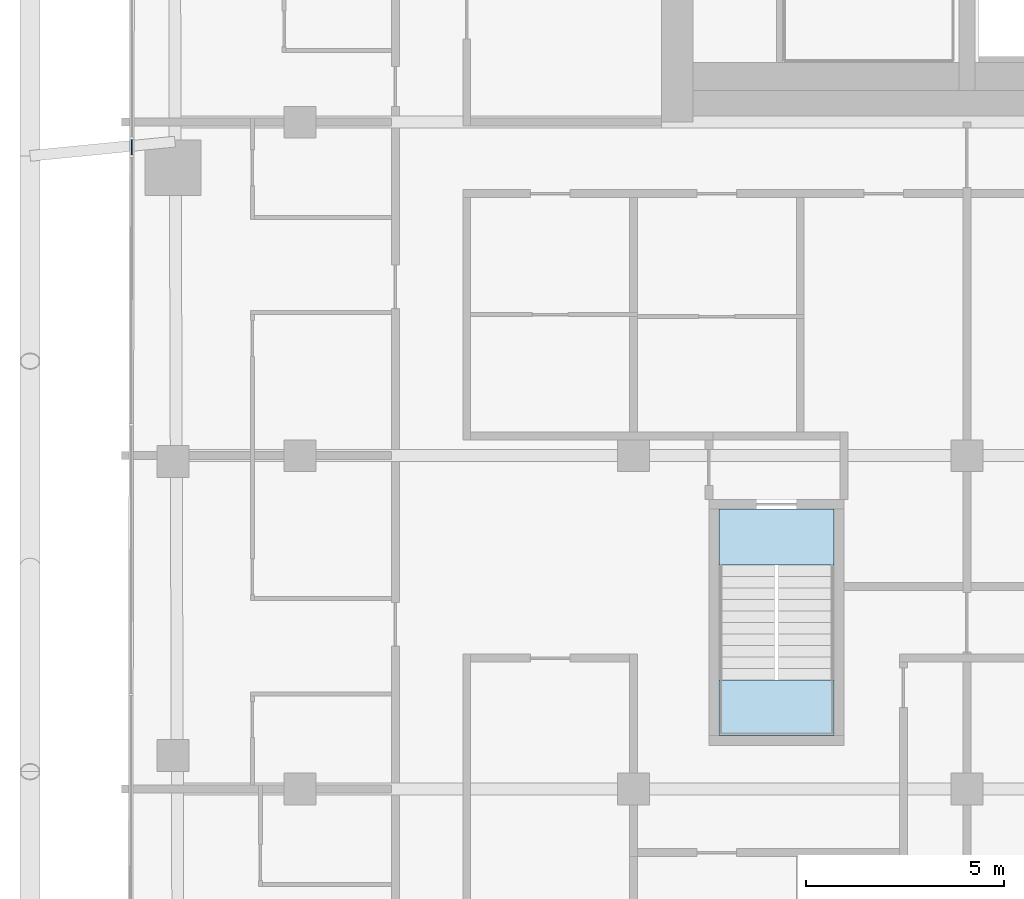
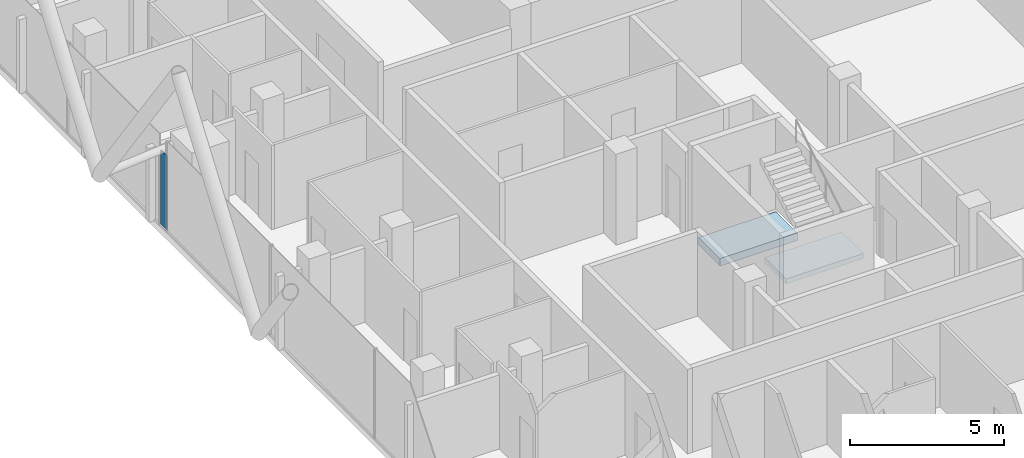
# One storey, part 16 of 31: 2 slabs, 1 plate, 2 elements without a shape of their own.
"""IFC4 building model written with IfcOpenShell, lengths in metres."""

import ifcopenshell
import ifcopenshell.guid

model = None  # the IFC model being written
_history = None  # IfcOwnerHistory: only IFC2X3 demands one
_inside = {}  # id of a spatial element -> (the spatial element, [elements in it])
_under = {}  # id of a project, library or spatial element -> (it, [spatial elements below it])
_declared = {}  # id of a project -> (the project, [libraries it declares])
_typed = {}  # id of a type object -> (the type object, [elements of that type])
_made_of = {}  # id of a material, layer set ... -> (it, [elements and type objects made of it])


def new_model(schema):
    """Start an empty IFC model of exactly this schema.

    Asked for "IFC4X3", IfcOpenShell would pick the latest addendum, in which some entities
    have other attributes; the version numbers below select the first issue.
    IFC2X3 requires an IfcOwnerHistory on every rooted entity: one is made here for all.
    """
    global model, _history
    if schema == "IFC4X3":
        model = ifcopenshell.file(schema_version=(4, 3, 0, 0))
    else:
        model = ifcopenshell.file(schema=schema)
    _inside.clear()
    _under.clear()
    _declared.clear()
    _typed.clear()
    _made_of.clear()
    _history = None
    if model.schema == "IFC2X3":
        org = make("IfcOrganization", Name="unknown")
        user = make(
            "IfcPersonAndOrganization",
            ThePerson=make("IfcPerson", FamilyName="unknown"),
            TheOrganization=org,
        )
        app = make(
            "IfcApplication",
            ApplicationDeveloper=org,
            Version="unknown",
            ApplicationFullName="unknown",
            ApplicationIdentifier="unknown",
        )
        _history = make(
            "IfcOwnerHistory",
            OwningUser=user,
            OwningApplication=app,
            ChangeAction="ADDED",
            CreationDate=0,
        )
    return model


def make(cls, **values):
    """One entity of the class cls with the attributes given. An attribute that is None is left unset."""
    return model.create_entity(
        cls, **{name: value for name, value in values.items() if value is not None}
    )


def rooted(cls, **values):
    """An entity with a GlobalId (a new one), such as an element, a storey or a relation."""
    return make(cls, GlobalId=ifcopenshell.guid.new(), OwnerHistory=_history, **values)


def si_unit(unit_type, name, prefix=None):
    """IfcSIUnit, for example si_unit("LENGTHUNIT", "METRE", prefix="MILLI")."""
    return make("IfcSIUnit", UnitType=unit_type, Prefix=prefix, Name=name)


def assignment(units):
    """IfcUnitAssignment: the units of a project."""
    return None if units is None else make("IfcUnitAssignment", Units=units)


def point(xyz):
    """IfcCartesianPoint."""
    return None if xyz is None else make("IfcCartesianPoint", Coordinates=xyz)


def direction(xyz):
    """IfcDirection."""
    return None if xyz is None else make("IfcDirection", DirectionRatios=xyz)


def frame(location, z_axis=None, x_axis=None):
    """IfcAxis2Placement3D, a coordinate frame: its origin and axes. An axis left out is left unset."""
    return make(
        "IfcAxis2Placement3D",
        Location=point(location),
        Axis=direction(z_axis),
        RefDirection=direction(x_axis),
    )


def frame_2d(location, x_axis=None):
    """IfcAxis2Placement2D, a coordinate frame in the plane: its origin and x axis."""
    return make(
        "IfcAxis2Placement2D", Location=point(location), RefDirection=direction(x_axis)
    )


def origin():
    """The frame at (0, 0, 0) with its axes left unset."""
    return frame((0.0, 0.0, 0.0))


def origin_2d():
    """The frame at (0, 0) in the plane with its x axis left unset."""
    return frame_2d((0.0, 0.0))


def place(relative_to, where):
    """IfcLocalPlacement: puts the frame where relative to a parent placement (None: the world)."""
    return make(
        "IfcLocalPlacement", PlacementRelTo=relative_to, RelativePlacement=where
    )


def context(
    kind, dimensions, precision=None, world=None, true_north=None, identifier=None
):
    """IfcGeometricRepresentationContext, for example the 3D "Model" context."""
    return make(
        "IfcGeometricRepresentationContext",
        ContextIdentifier=identifier,
        ContextType=kind,
        CoordinateSpaceDimension=dimensions,
        Precision=precision,
        WorldCoordinateSystem=world,
        TrueNorth=true_north,
    )


def subcontext(parent, identifier, kind, view, scale=None):
    """IfcGeometricRepresentationSubContext, for example "Body" below "Model"."""
    return make(
        "IfcGeometricRepresentationSubContext",
        ContextIdentifier=identifier,
        ContextType=kind,
        ParentContext=parent,
        TargetScale=scale,
        TargetView=view,
    )


def project(units=None, contexts=None):
    """IfcProject with its units and contexts."""
    return rooted(
        "IfcProject",
        Name="project",
        RepresentationContexts=contexts,
        UnitsInContext=assignment(units),
    )


def spatial(cls, under=None, at=None, **own):
    """A site, building, storey or space (cls), placed at a placement, below another one or the project."""
    s = rooted(cls, ObjectPlacement=at, **own)
    if under is not None:
        _under.setdefault(under.id(), (under, []))[1].append(s)
    return s


def polyline(points):
    """IfcPolyline through the points."""
    return make("IfcPolyline", Points=[point(p) for p in points])


def profile(cls, at=None, kind="AREA", **sizes):
    """A parametric profile (cls). Its sizes go by their IFC names, for example OverallWidth=200.0."""
    return make(cls, ProfileType=kind, Position=at, **sizes)


def rectangle(**sizes):
    """IfcRectangleProfileDef."""
    return profile("IfcRectangleProfileDef", **sizes)


def outline(outer, holes=None, kind="AREA"):
    """IfcArbitraryClosedProfileDef: a profile drawn as a closed curve; with holes, ...WithVoids."""
    if holes is None:
        return make("IfcArbitraryClosedProfileDef", ProfileType=kind, OuterCurve=outer)
    return make(
        "IfcArbitraryProfileDefWithVoids",
        ProfileType=kind,
        OuterCurve=outer,
        InnerCurves=holes,
    )


def extrude(swept, where, along, depth):
    """IfcExtrudedAreaSolid: the profile swept, set in the frame where, extruded along a direction by depth."""
    return make(
        "IfcExtrudedAreaSolid",
        SweptArea=swept,
        Position=where,
        ExtrudedDirection=direction(along),
        Depth=depth,
    )


def shape(context_of_items, identifier, shape_type, items):
    """IfcShapeRepresentation: the items that make up one representation, for example the "Body"."""
    return make(
        "IfcShapeRepresentation",
        ContextOfItems=context_of_items,
        RepresentationIdentifier=identifier,
        RepresentationType=shape_type,
        Items=items,
    )


def material(Name=None, Category=None):
    """IfcMaterial."""
    return make("IfcMaterial", Name=Name, Category=Category)


def layer(
    of_material, thickness, ventilated=None, Name=None, Category=None, Priority=None
):
    """IfcMaterialLayer: one layer of a wall or slab, of a material (None: an air gap)."""
    return make(
        "IfcMaterialLayer",
        Material=of_material,
        LayerThickness=thickness,
        IsVentilated=ventilated,
        Name=Name,
        Category=Category,
        Priority=Priority,
    )


def layer_set(layers, Name=None):
    """IfcMaterialLayerSet."""
    return make("IfcMaterialLayerSet", MaterialLayers=layers, LayerSetName=Name)


def made_of(thing, what):
    """Note that an element or type object is made of a material, layer set ...; save() writes the relation."""
    if what is not None:
        _made_of.setdefault(what.id(), (what, []))[1].append(thing)
    return thing


def type_object(cls, material=None, **own):
    """A type object (cls), such as IfcWallType, which elements share."""
    return made_of(rooted(cls, **own), material)


def element(
    cls,
    number,
    at=None,
    inside=None,
    cuts=None,
    type_object=None,
    material=None,
    context=None,
    identifier="Body",
    shape_type=None,
    held_by="IfcProductDefinitionShape",
    body=None,
    shapes=None,
    **own,
):
    """One element of the class cls, such as IfcWall. Its Tag is "e" and its number.

    at: its placement. inside: the storey or other place that contains it. cuts: it is an
    opening in that element (IfcRelVoidsElement). A single representation is given by context,
    identifier, shape_type and body (its items); several are given by shapes. held_by: the class
    of the entity that holds the representations. save() writes the other relations.
    """
    e = rooted(cls, Tag="e%d" % number, ObjectPlacement=at, **own)
    if body is not None:
        shapes = [shape(context, identifier, shape_type, body)]
    if shapes is not None:
        e.Representation = make(held_by, Representations=shapes)
    if inside is not None:
        _inside.setdefault(inside.id(), (inside, []))[1].append(e)
    if cuts is not None:
        rooted(
            "IfcRelVoidsElement", RelatingBuildingElement=cuts, RelatedOpeningElement=e
        )
    if type_object is not None:
        _typed.setdefault(type_object.id(), (type_object, []))[1].append(e)
    return made_of(e, material)


def aggregate(whole, parts):
    """IfcRelAggregates: a whole, such as a stair, and the parts it consists of."""
    return rooted("IfcRelAggregates", RelatingObject=whole, RelatedObjects=parts)


def save(model, path):
    """Write the relations noted so far, then the file.

    IfcRelAggregates (storeys below a building ...), IfcRelContainedInSpatialStructure (elements
    in a storey), IfcRelDefinesByType, IfcRelAssociatesMaterial and IfcRelDeclares: one each for
    every whole, place, type object, material and project.
    """
    for whole, parts in _under.values():
        aggregate(whole, parts)
    for where, things in _inside.values():
        rooted(
            "IfcRelContainedInSpatialStructure",
            RelatedElements=things,
            RelatingStructure=where,
        )
    for kind, things in _typed.values():
        rooted("IfcRelDefinesByType", RelatedObjects=things, RelatingType=kind)
    for what, things in _made_of.values():
        rooted("IfcRelAssociatesMaterial", RelatedObjects=things, RelatingMaterial=what)
    for by, libraries in _declared.values():
        rooted("IfcRelDeclares", RelatingContext=by, RelatedDefinitions=libraries)
    model.write(path)


model = new_model("IFC4")

# Units and contexts
model_context = context("Model", 3, precision=1e-05, world=origin(), true_north=direction((0.0, 1.0)))
body_context = subcontext(model_context, "Body", "Model", "MODEL_VIEW")
ifc_project = project(units=[si_unit("LENGTHUNIT", "METRE"), si_unit("AREAUNIT", "SQUARE_METRE"), si_unit("VOLUMEUNIT", "CUBIC_METRE"), si_unit("PLANEANGLEUNIT", "RADIAN"), si_unit("MASSUNIT", "GRAM", prefix="KILO")], contexts=[model_context])

# Site, building, storey
site_placement = place(None, origin())
site = spatial("IfcSite", under=ifc_project, at=site_placement, CompositionType="ELEMENT")
building_placement = place(site_placement, origin())
building = spatial("IfcBuilding", under=site, at=building_placement, Name="Marenta Gate Hotel Tower", CompositionType="ELEMENT")
storey_placement = place(building_placement, frame((0.0, 0.0, 234.5)))
storey = spatial("IfcBuildingStorey", under=building, at=storey_placement, Name="L55", CompositionType="ELEMENT", Elevation=234.5)

# Curtain wall, plate
ifc_material_1 = material(Name="Tinted insulated glass in bronze anodised frame", Category="glass")
ifc_layer_1 = layer(ifc_material_1, 0.1201171875)
ifc_layer_set_1 = layer_set([ifc_layer_1], Name="Tinted insulated glass in bronze anodised frame")
curtain_wall_type = type_object("IfcCurtainWallType", Name="Tower unitised curtain wall CW1", PredefinedType="NOTDEFINED", material=ifc_layer_set_1)
curtain_wall_placement = place(storey_placement, origin())
curtain_wall = element("IfcCurtainWall", 1, at=curtain_wall_placement, inside=storey, type_object=curtain_wall_type, Name="CW1 run G07", PredefinedType="NOTDEFINED")
ifc_material_2 = material(Name="Tinted insulated glass", Category="glass")
ifc_layer_2 = layer(ifc_material_2, 0.028076171875)
ifc_layer_set_2 = layer_set([ifc_layer_2], Name="Tinted insulated glass")
plate_type = type_object("IfcPlateType", Name="Glass panel CW1 28 mm tinted insulated unit", PredefinedType="CURTAIN_PANEL", material=ifc_layer_set_2)
plate_placement = place(storey_placement, frame((-25.24072265625, -0.6279296875, 0.06005859375), z_axis=(0.0, 0.0, 1.0), x_axis=(-0.001537783778, -0.99999881761, 0.0)))
plate = element("IfcPlate", 2, at=plate_placement, type_object=plate_type, Name="CW1 panel 1.1", PredefinedType="CURTAIN_PANEL", context=body_context, shape_type="SweptSolid", body=[
    extrude(rectangle(XDim=0.395263671875, YDim=0.028076171875, at=origin_2d()), origin(), (0.0, 0.0, 1.0), 2.9404296875),
])
aggregate(curtain_wall, [plate])

# Stair, slab
ifc_material_3 = material(Name="Concrete C40", Category="concrete")
stair_type = type_object("IfcStairType", Name="Remote exit stair 1400 wide", PredefinedType="HALF_TURN_STAIR", material=ifc_material_3)
stair_placement = place(storey_placement, origin())
stair = element("IfcStair", 3, at=stair_placement, inside=storey, type_object=stair_type, Name="Exit stair RS-Z3-1", PredefinedType="HALF_TURN_STAIR")
ifc_material_4 = material(Name="Concrete C40", Category="concrete")
ifc_layer_3 = layer(ifc_material_4, 0.199951171875)
ifc_layer_set_3 = layer_set([ifc_layer_3], Name="Concrete C40")
slab_type_1 = type_object("IfcSlabType", Name="Remote stair landing 200", PredefinedType="LANDING", material=ifc_layer_set_3)
slab_1_placement = place(storey_placement, frame((0.0, 0.0, 1.60009765625)))
slab_1 = element("IfcSlab", 4, at=slab_1_placement, type_object=slab_type_1, Name="RL-200 RS-Z3-1 landing 1", PredefinedType="LANDING", context=body_context, shape_type="SweptSolid", body=[
    extrude(outline(polyline([(-10.449951171875, -15.449951171875), (-7.550048828125, -15.449951171875), (-7.550048828125, -14.050048828125), (-10.449951171875, -14.050048828125), (-10.449951171875, -15.449951171875)])), origin(), (0.0, 0.0, 1.0), 0.199951171875),
])
aggregate(stair, [slab_1])

# Slab
ifc_material_5 = material(Name="Concrete C40", Category="concrete")
ifc_layer_4 = layer(ifc_material_5, 0.300048828125)
ifc_layer_set_4 = layer_set([ifc_layer_4], Name="Concrete C40")
slab_type_2 = type_object("IfcSlabType", Name="Stair floor landing slab 300", PredefinedType="FLOOR", material=ifc_layer_set_4)
slab_2_placement = place(storey_placement, frame((0.0, 0.0, -0.300048828125)))
element("IfcSlab", 5, at=slab_2_placement, inside=storey, type_object=slab_type_2, Name="L55-RS-Z3-1-CL", PredefinedType="FLOOR", context=body_context, shape_type="SweptSolid", body=[
    extrude(outline(polyline([(-7.550048828125, -11.14990234375), (-7.550048828125, -9.75), (-10.449951171875, -9.75), (-10.449951171875, -11.14990234375), (-7.550048828125, -11.14990234375)])), origin(), (0.0, 0.0, 1.0), 0.300048828125),
])

save(model, "model.ifc")
